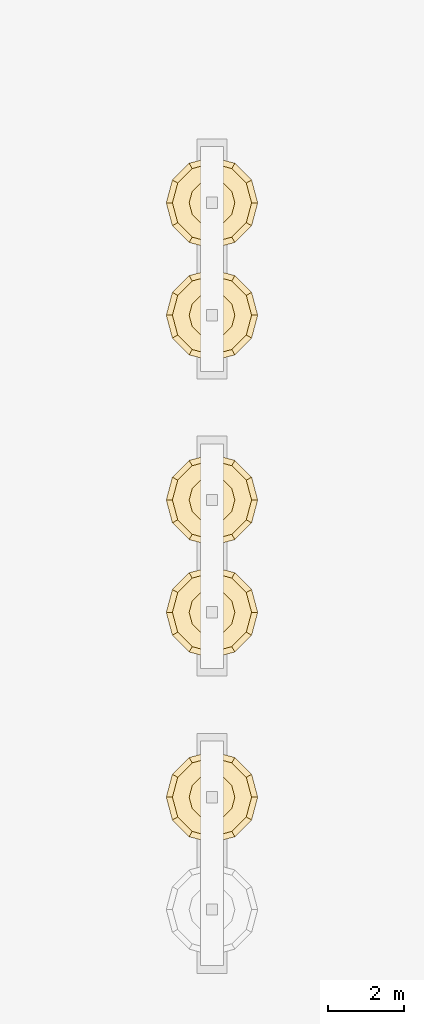
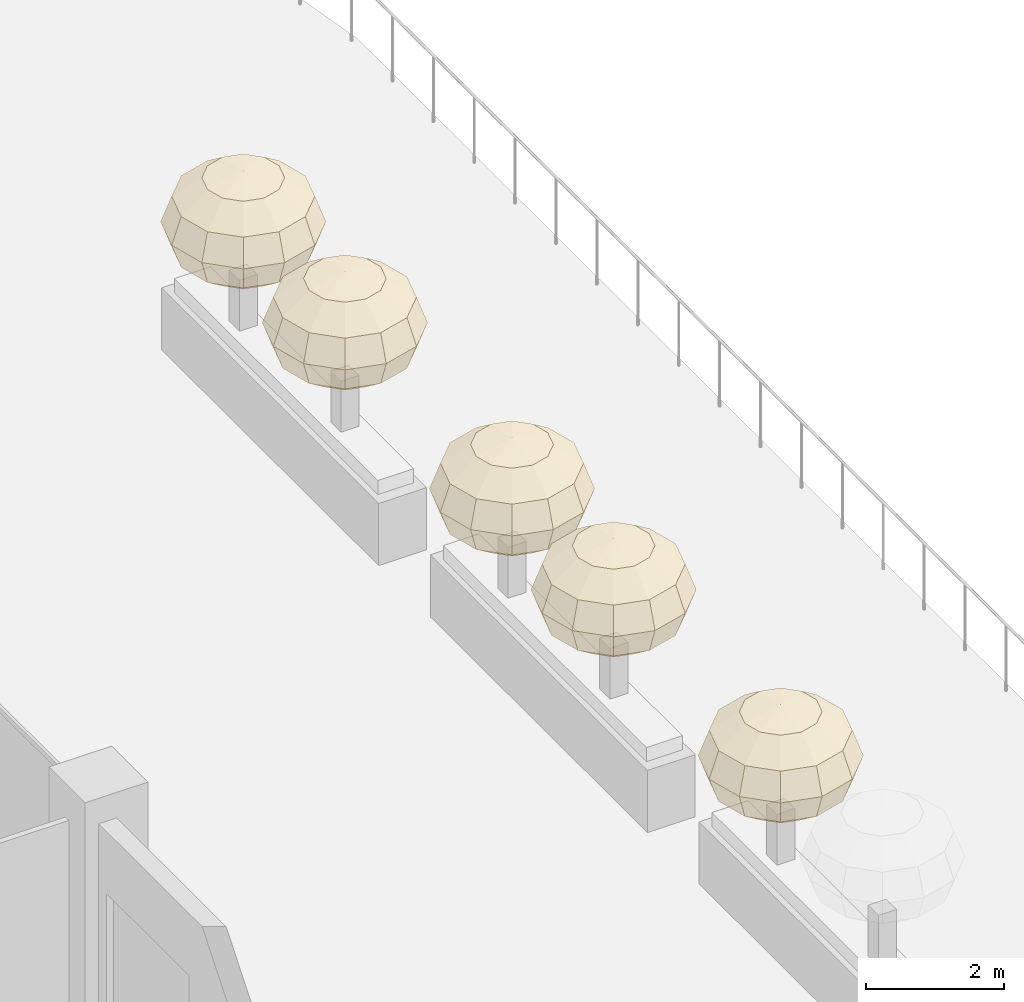
# One storey, part 31 of 31: 5 coverings.
"""IFC4 building model written with IfcOpenShell, lengths in metres."""

from ifc_helpers import new_model, si_unit, direction, frame, origin, place, context, subcontext, project, spatial, triangles, material, layer, layer_set, type_object, element, save


model = new_model("IFC4")

# Units and contexts
model_context = context("Model", 3, precision=1e-05, world=origin(), true_north=direction((0.0, 1.0)))
body_context = subcontext(model_context, "Body", "Model", "MODEL_VIEW")
ifc_project = project(units=[si_unit("LENGTHUNIT", "METRE"), si_unit("AREAUNIT", "SQUARE_METRE"), si_unit("VOLUMEUNIT", "CUBIC_METRE"), si_unit("PLANEANGLEUNIT", "RADIAN"), si_unit("MASSUNIT", "GRAM", prefix="KILO")], contexts=[model_context])

# Site, building, storey
site_placement = place(None, origin())
site = spatial("IfcSite", under=ifc_project, at=site_placement, CompositionType="ELEMENT")
building_placement = place(site_placement, origin())
building = spatial("IfcBuilding", under=site, at=building_placement, Name="Ludao Terraces", CompositionType="ELEMENT")
storey_placement = place(building_placement, frame((0.0, 0.0, 15.0)))
storey = spatial("IfcBuildingStorey", under=building, at=storey_placement, Name="L03", CompositionType="ELEMENT", Elevation=15.0)

# Coverings
ifc_material = material(Name="Planting")
ifc_layer = layer(ifc_material, 2.39990234375)
ifc_layer_set = layer_set([ifc_layer], Name="ENV Terrace tree crown 2400")
covering_type = type_object("IfcCoveringType", Name="ENV Terrace tree crown 2400", PredefinedType="USERDEFINED", material=ifc_layer_set)
covering_1_placement = place(storey_placement, frame((118.0, 61.824951171875, 3.14990234375)))
element("IfcCovering", 1, at=covering_1_placement, inside=storey, type_object=covering_type, Name="Terrace tree crown L03-T18.2", ObjectType="PLANTING", PredefinedType="USERDEFINED", context=body_context, shape_type="Tessellation", body=[
    triangles([(0.0, 0.0, 0.89990234375), (0.599853515625, 0.0, 0.779296875), (0.51953125, 0.300048828125, 0.779296875), (0.300048828125, 0.51953125, 0.779296875), (0.0, 0.599853515625, 0.779296875), (-0.300048828125, 0.51953125, 0.779296875), (-0.51953125, 0.300048828125, 0.779296875), (-0.599853515625, 0.0, 0.779296875), (-0.51953125, -0.300048828125, 0.779296875), (-0.300048828125, -0.51953125, 0.779296875), (0.0, -0.599853515625, 0.779296875), (0.300048828125, -0.51953125, 0.779296875), (0.51953125, -0.300048828125, 0.779296875), (1.039306640625, 0.0, 0.449951171875), (0.89990234375, 0.51953125, 0.449951171875), (0.51953125, 0.89990234375, 0.449951171875), (0.0, 1.039306640625, 0.449951171875), (-0.51953125, 0.89990234375, 0.449951171875), (-0.89990234375, 0.51953125, 0.449951171875), (-1.039306640625, 0.0, 0.449951171875), (-0.89990234375, -0.51953125, 0.449951171875), (-0.51953125, -0.89990234375, 0.449951171875), (0.0, -1.039306640625, 0.449951171875), (0.51953125, -0.89990234375, 0.449951171875), (0.89990234375, -0.51953125, 0.449951171875), (1.199951171875, 0.0, 0.0), (1.039306640625, 0.599853515625, 0.0), (0.60009765625, 1.039306640625, 0.0), (0.0, 1.199951171875, 0.0), (-0.599853515625, 1.039306640625, 0.0), (-1.039306640625, 0.599853515625, 0.0), (-1.199951171875, 0.0, 0.0), (-1.039306640625, -0.599853515625, 0.0), (-0.60009765625, -1.039306640625, 0.0), (0.0, -1.199951171875, 0.0), (0.60009765625, -1.039306640625, 0.0), (1.039306640625, -0.60009765625, 0.0), (1.039306640625, 0.0, -0.449951171875), (0.89990234375, 0.51953125, -0.449951171875), (0.51953125, 0.89990234375, -0.449951171875), (0.0, 1.039306640625, -0.449951171875), (-0.51953125, 0.89990234375, -0.449951171875), (-0.89990234375, 0.51953125, -0.449951171875), (-1.039306640625, 0.0, -0.449951171875), (-0.89990234375, -0.51953125, -0.449951171875), (-0.51953125, -0.89990234375, -0.449951171875), (0.0, -1.039306640625, -0.449951171875), (0.51953125, -0.89990234375, -0.449951171875), (0.89990234375, -0.51953125, -0.449951171875), (0.599853515625, 0.0, -0.779296875), (0.51953125, 0.300048828125, -0.779296875), (0.300048828125, 0.51953125, -0.779296875), (0.0, 0.599853515625, -0.779296875), (-0.300048828125, 0.51953125, -0.779296875), (-0.51953125, 0.300048828125, -0.779296875), (-0.599853515625, 0.0, -0.779296875), (-0.51953125, -0.300048828125, -0.779296875), (-0.300048828125, -0.51953125, -0.779296875), (0.0, -0.599853515625, -0.779296875), (0.300048828125, -0.51953125, -0.779296875), (0.51953125, -0.300048828125, -0.779296875), (0.0, 0.0, -0.89990234375)], [[1, 2, 3], [1, 3, 4], [1, 4, 5], [1, 5, 6], [1, 6, 7], [1, 7, 8], [1, 8, 9], [1, 9, 10], [1, 10, 11], [1, 11, 12], [1, 12, 13], [1, 13, 2], [2, 14, 15], [2, 15, 3], [3, 15, 16], [3, 16, 4], [4, 16, 17], [4, 17, 5], [5, 17, 18], [5, 18, 6], [6, 18, 19], [6, 19, 7], [7, 19, 20], [7, 20, 8], [8, 20, 21], [8, 21, 9], [9, 21, 22], [9, 22, 10], [10, 22, 23], [10, 23, 11], [11, 23, 24], [11, 24, 12], [12, 24, 25], [12, 25, 13], [13, 25, 14], [13, 14, 2], [14, 26, 27], [14, 27, 15], [15, 27, 28], [15, 28, 16], [16, 28, 29], [16, 29, 17], [17, 29, 30], [17, 30, 18], [18, 30, 31], [18, 31, 19], [19, 31, 32], [19, 32, 20], [20, 32, 33], [20, 33, 21], [21, 33, 34], [21, 34, 22], [22, 34, 35], [22, 35, 23], [23, 35, 36], [23, 36, 24], [24, 36, 37], [24, 37, 25], [25, 37, 26], [25, 26, 14], [26, 38, 39], [26, 39, 27], [27, 39, 40], [27, 40, 28], [28, 40, 41], [28, 41, 29], [29, 41, 42], [29, 42, 30], [30, 42, 43], [30, 43, 31], [31, 43, 44], [31, 44, 32], [32, 44, 45], [32, 45, 33], [33, 45, 46], [33, 46, 34], [34, 46, 47], [34, 47, 35], [35, 47, 48], [35, 48, 36], [36, 48, 49], [36, 49, 37], [37, 49, 38], [37, 38, 26], [38, 50, 51], [38, 51, 39], [39, 51, 52], [39, 52, 40], [40, 52, 53], [40, 53, 41], [41, 53, 54], [41, 54, 42], [42, 54, 55], [42, 55, 43], [43, 55, 56], [43, 56, 44], [44, 56, 57], [44, 57, 45], [45, 57, 58], [45, 58, 46], [46, 58, 59], [46, 59, 47], [47, 59, 60], [47, 60, 48], [48, 60, 61], [48, 61, 49], [49, 61, 50], [49, 50, 38], [62, 51, 50], [62, 52, 51], [62, 53, 52], [62, 54, 53], [62, 55, 54], [62, 56, 55], [62, 57, 56], [62, 58, 57], [62, 59, 58], [62, 60, 59], [62, 61, 60], [62, 50, 61]], closed=True),
])
covering_2_placement = place(storey_placement, frame((118.0, 66.675048828125, 3.14990234375)))
element("IfcCovering", 2, at=covering_2_placement, inside=storey, type_object=covering_type, Name="Terrace tree crown L03-T19.1", ObjectType="PLANTING", PredefinedType="USERDEFINED", context=body_context, shape_type="Tessellation", body=[
    triangles([(0.0, 0.0, 0.89990234375), (0.599853515625, 0.0, 0.779296875), (0.51953125, 0.300048828125, 0.779296875), (0.300048828125, 0.51953125, 0.779296875), (0.0, 0.599853515625, 0.779296875), (-0.300048828125, 0.51953125, 0.779296875), (-0.51953125, 0.300048828125, 0.779296875), (-0.599853515625, 0.0, 0.779296875), (-0.51953125, -0.300048828125, 0.779296875), (-0.300048828125, -0.51953125, 0.779296875), (0.0, -0.599853515625, 0.779296875), (0.300048828125, -0.51953125, 0.779296875), (0.51953125, -0.300048828125, 0.779296875), (1.039306640625, 0.0, 0.449951171875), (0.89990234375, 0.51953125, 0.449951171875), (0.51953125, 0.89990234375, 0.449951171875), (0.0, 1.039306640625, 0.449951171875), (-0.51953125, 0.89990234375, 0.449951171875), (-0.89990234375, 0.51953125, 0.449951171875), (-1.039306640625, 0.0, 0.449951171875), (-0.89990234375, -0.51953125, 0.449951171875), (-0.51953125, -0.89990234375, 0.449951171875), (0.0, -1.039306640625, 0.449951171875), (0.51953125, -0.89990234375, 0.449951171875), (0.89990234375, -0.51953125, 0.449951171875), (1.199951171875, 0.0, 0.0), (1.039306640625, 0.599853515625, 0.0), (0.60009765625, 1.039306640625, 0.0), (0.0, 1.199951171875, 0.0), (-0.599853515625, 1.039306640625, 0.0), (-1.039306640625, 0.599853515625, 0.0), (-1.199951171875, 0.0, 0.0), (-1.039306640625, -0.599853515625, 0.0), (-0.60009765625, -1.039306640625, 0.0), (0.0, -1.199951171875, 0.0), (0.60009765625, -1.039306640625, 0.0), (1.039306640625, -0.60009765625, 0.0), (1.039306640625, 0.0, -0.449951171875), (0.89990234375, 0.51953125, -0.449951171875), (0.51953125, 0.89990234375, -0.449951171875), (0.0, 1.039306640625, -0.449951171875), (-0.51953125, 0.89990234375, -0.449951171875), (-0.89990234375, 0.51953125, -0.449951171875), (-1.039306640625, 0.0, -0.449951171875), (-0.89990234375, -0.51953125, -0.449951171875), (-0.51953125, -0.89990234375, -0.449951171875), (0.0, -1.039306640625, -0.449951171875), (0.51953125, -0.89990234375, -0.449951171875), (0.89990234375, -0.51953125, -0.449951171875), (0.599853515625, 0.0, -0.779296875), (0.51953125, 0.300048828125, -0.779296875), (0.300048828125, 0.51953125, -0.779296875), (0.0, 0.599853515625, -0.779296875), (-0.300048828125, 0.51953125, -0.779296875), (-0.51953125, 0.300048828125, -0.779296875), (-0.599853515625, 0.0, -0.779296875), (-0.51953125, -0.300048828125, -0.779296875), (-0.300048828125, -0.51953125, -0.779296875), (0.0, -0.599853515625, -0.779296875), (0.300048828125, -0.51953125, -0.779296875), (0.51953125, -0.300048828125, -0.779296875), (0.0, 0.0, -0.89990234375)], [[1, 2, 3], [1, 3, 4], [1, 4, 5], [1, 5, 6], [1, 6, 7], [1, 7, 8], [1, 8, 9], [1, 9, 10], [1, 10, 11], [1, 11, 12], [1, 12, 13], [1, 13, 2], [2, 14, 15], [2, 15, 3], [3, 15, 16], [3, 16, 4], [4, 16, 17], [4, 17, 5], [5, 17, 18], [5, 18, 6], [6, 18, 19], [6, 19, 7], [7, 19, 20], [7, 20, 8], [8, 20, 21], [8, 21, 9], [9, 21, 22], [9, 22, 10], [10, 22, 23], [10, 23, 11], [11, 23, 24], [11, 24, 12], [12, 24, 25], [12, 25, 13], [13, 25, 14], [13, 14, 2], [14, 26, 27], [14, 27, 15], [15, 27, 28], [15, 28, 16], [16, 28, 29], [16, 29, 17], [17, 29, 30], [17, 30, 18], [18, 30, 31], [18, 31, 19], [19, 31, 32], [19, 32, 20], [20, 32, 33], [20, 33, 21], [21, 33, 34], [21, 34, 22], [22, 34, 35], [22, 35, 23], [23, 35, 36], [23, 36, 24], [24, 36, 37], [24, 37, 25], [25, 37, 26], [25, 26, 14], [26, 38, 39], [26, 39, 27], [27, 39, 40], [27, 40, 28], [28, 40, 41], [28, 41, 29], [29, 41, 42], [29, 42, 30], [30, 42, 43], [30, 43, 31], [31, 43, 44], [31, 44, 32], [32, 44, 45], [32, 45, 33], [33, 45, 46], [33, 46, 34], [34, 46, 47], [34, 47, 35], [35, 47, 48], [35, 48, 36], [36, 48, 49], [36, 49, 37], [37, 49, 38], [37, 38, 26], [38, 50, 51], [38, 51, 39], [39, 51, 52], [39, 52, 40], [40, 52, 53], [40, 53, 41], [41, 53, 54], [41, 54, 42], [42, 54, 55], [42, 55, 43], [43, 55, 56], [43, 56, 44], [44, 56, 57], [44, 57, 45], [45, 57, 58], [45, 58, 46], [46, 58, 59], [46, 59, 47], [47, 59, 60], [47, 60, 48], [48, 60, 61], [48, 61, 49], [49, 61, 50], [49, 50, 38], [62, 51, 50], [62, 52, 51], [62, 53, 52], [62, 54, 53], [62, 55, 54], [62, 56, 55], [62, 57, 56], [62, 58, 57], [62, 59, 58], [62, 60, 59], [62, 61, 60], [62, 50, 61]], closed=True),
])
covering_3_placement = place(storey_placement, frame((118.0, 69.625, 3.14990234375)))
element("IfcCovering", 3, at=covering_3_placement, inside=storey, type_object=covering_type, Name="Terrace tree crown L03-T19.2", ObjectType="PLANTING", PredefinedType="USERDEFINED", context=body_context, shape_type="Tessellation", body=[
    triangles([(0.0, 0.0, 0.89990234375), (0.599853515625, 0.0, 0.779296875), (0.51953125, 0.300048828125, 0.779296875), (0.300048828125, 0.51953125, 0.779296875), (0.0, 0.599853515625, 0.779296875), (-0.300048828125, 0.51953125, 0.779296875), (-0.51953125, 0.300048828125, 0.779296875), (-0.599853515625, 0.0, 0.779296875), (-0.51953125, -0.300048828125, 0.779296875), (-0.300048828125, -0.51953125, 0.779296875), (0.0, -0.599853515625, 0.779296875), (0.300048828125, -0.51953125, 0.779296875), (0.51953125, -0.300048828125, 0.779296875), (1.039306640625, 0.0, 0.449951171875), (0.89990234375, 0.51953125, 0.449951171875), (0.51953125, 0.89990234375, 0.449951171875), (0.0, 1.039306640625, 0.449951171875), (-0.51953125, 0.89990234375, 0.449951171875), (-0.89990234375, 0.51953125, 0.449951171875), (-1.039306640625, 0.0, 0.449951171875), (-0.89990234375, -0.51953125, 0.449951171875), (-0.51953125, -0.89990234375, 0.449951171875), (0.0, -1.039306640625, 0.449951171875), (0.51953125, -0.89990234375, 0.449951171875), (0.89990234375, -0.51953125, 0.449951171875), (1.199951171875, 0.0, 0.0), (1.039306640625, 0.599853515625, 0.0), (0.60009765625, 1.039306640625, 0.0), (0.0, 1.199951171875, 0.0), (-0.599853515625, 1.039306640625, 0.0), (-1.039306640625, 0.599853515625, 0.0), (-1.199951171875, 0.0, 0.0), (-1.039306640625, -0.599853515625, 0.0), (-0.60009765625, -1.039306640625, 0.0), (0.0, -1.199951171875, 0.0), (0.60009765625, -1.039306640625, 0.0), (1.039306640625, -0.60009765625, 0.0), (1.039306640625, 0.0, -0.449951171875), (0.89990234375, 0.51953125, -0.449951171875), (0.51953125, 0.89990234375, -0.449951171875), (0.0, 1.039306640625, -0.449951171875), (-0.51953125, 0.89990234375, -0.449951171875), (-0.89990234375, 0.51953125, -0.449951171875), (-1.039306640625, 0.0, -0.449951171875), (-0.89990234375, -0.51953125, -0.449951171875), (-0.51953125, -0.89990234375, -0.449951171875), (0.0, -1.039306640625, -0.449951171875), (0.51953125, -0.89990234375, -0.449951171875), (0.89990234375, -0.51953125, -0.449951171875), (0.599853515625, 0.0, -0.779296875), (0.51953125, 0.300048828125, -0.779296875), (0.300048828125, 0.51953125, -0.779296875), (0.0, 0.599853515625, -0.779296875), (-0.300048828125, 0.51953125, -0.779296875), (-0.51953125, 0.300048828125, -0.779296875), (-0.599853515625, 0.0, -0.779296875), (-0.51953125, -0.300048828125, -0.779296875), (-0.300048828125, -0.51953125, -0.779296875), (0.0, -0.599853515625, -0.779296875), (0.300048828125, -0.51953125, -0.779296875), (0.51953125, -0.300048828125, -0.779296875), (0.0, 0.0, -0.89990234375)], [[1, 2, 3], [1, 3, 4], [1, 4, 5], [1, 5, 6], [1, 6, 7], [1, 7, 8], [1, 8, 9], [1, 9, 10], [1, 10, 11], [1, 11, 12], [1, 12, 13], [1, 13, 2], [2, 14, 15], [2, 15, 3], [3, 15, 16], [3, 16, 4], [4, 16, 17], [4, 17, 5], [5, 17, 18], [5, 18, 6], [6, 18, 19], [6, 19, 7], [7, 19, 20], [7, 20, 8], [8, 20, 21], [8, 21, 9], [9, 21, 22], [9, 22, 10], [10, 22, 23], [10, 23, 11], [11, 23, 24], [11, 24, 12], [12, 24, 25], [12, 25, 13], [13, 25, 14], [13, 14, 2], [14, 26, 27], [14, 27, 15], [15, 27, 28], [15, 28, 16], [16, 28, 29], [16, 29, 17], [17, 29, 30], [17, 30, 18], [18, 30, 31], [18, 31, 19], [19, 31, 32], [19, 32, 20], [20, 32, 33], [20, 33, 21], [21, 33, 34], [21, 34, 22], [22, 34, 35], [22, 35, 23], [23, 35, 36], [23, 36, 24], [24, 36, 37], [24, 37, 25], [25, 37, 26], [25, 26, 14], [26, 38, 39], [26, 39, 27], [27, 39, 40], [27, 40, 28], [28, 40, 41], [28, 41, 29], [29, 41, 42], [29, 42, 30], [30, 42, 43], [30, 43, 31], [31, 43, 44], [31, 44, 32], [32, 44, 45], [32, 45, 33], [33, 45, 46], [33, 46, 34], [34, 46, 47], [34, 47, 35], [35, 47, 48], [35, 48, 36], [36, 48, 49], [36, 49, 37], [37, 49, 38], [37, 38, 26], [38, 50, 51], [38, 51, 39], [39, 51, 52], [39, 52, 40], [40, 52, 53], [40, 53, 41], [41, 53, 54], [41, 54, 42], [42, 54, 55], [42, 55, 43], [43, 55, 56], [43, 56, 44], [44, 56, 57], [44, 57, 45], [45, 57, 58], [45, 58, 46], [46, 58, 59], [46, 59, 47], [47, 59, 60], [47, 60, 48], [48, 60, 61], [48, 61, 49], [49, 61, 50], [49, 50, 38], [62, 51, 50], [62, 52, 51], [62, 53, 52], [62, 54, 53], [62, 55, 54], [62, 56, 55], [62, 57, 56], [62, 58, 57], [62, 59, 58], [62, 60, 59], [62, 61, 60], [62, 50, 61]], closed=True),
])
covering_4_placement = place(storey_placement, frame((118.0, 74.47509765625, 3.14990234375)))
element("IfcCovering", 4, at=covering_4_placement, inside=storey, type_object=covering_type, Name="Terrace tree crown L03-T20.1", ObjectType="PLANTING", PredefinedType="USERDEFINED", context=body_context, shape_type="Tessellation", body=[
    triangles([(0.0, 0.0, 0.89990234375), (0.599853515625, 0.0, 0.779296875), (0.51953125, 0.300048828125, 0.779296875), (0.300048828125, 0.51953125, 0.779296875), (0.0, 0.599853515625, 0.779296875), (-0.300048828125, 0.51953125, 0.779296875), (-0.51953125, 0.300048828125, 0.779296875), (-0.599853515625, 0.0, 0.779296875), (-0.51953125, -0.300048828125, 0.779296875), (-0.300048828125, -0.51953125, 0.779296875), (0.0, -0.599853515625, 0.779296875), (0.300048828125, -0.51953125, 0.779296875), (0.51953125, -0.300048828125, 0.779296875), (1.039306640625, 0.0, 0.449951171875), (0.89990234375, 0.51953125, 0.449951171875), (0.51953125, 0.89990234375, 0.449951171875), (0.0, 1.039306640625, 0.449951171875), (-0.51953125, 0.89990234375, 0.449951171875), (-0.89990234375, 0.51953125, 0.449951171875), (-1.039306640625, 0.0, 0.449951171875), (-0.89990234375, -0.51953125, 0.449951171875), (-0.51953125, -0.89990234375, 0.449951171875), (0.0, -1.039306640625, 0.449951171875), (0.51953125, -0.89990234375, 0.449951171875), (0.89990234375, -0.51953125, 0.449951171875), (1.199951171875, 0.0, 0.0), (1.039306640625, 0.599853515625, 0.0), (0.60009765625, 1.039306640625, 0.0), (0.0, 1.199951171875, 0.0), (-0.599853515625, 1.039306640625, 0.0), (-1.039306640625, 0.599853515625, 0.0), (-1.199951171875, 0.0, 0.0), (-1.039306640625, -0.599853515625, 0.0), (-0.60009765625, -1.039306640625, 0.0), (0.0, -1.199951171875, 0.0), (0.60009765625, -1.039306640625, 0.0), (1.039306640625, -0.60009765625, 0.0), (1.039306640625, 0.0, -0.449951171875), (0.89990234375, 0.51953125, -0.449951171875), (0.51953125, 0.89990234375, -0.449951171875), (0.0, 1.039306640625, -0.449951171875), (-0.51953125, 0.89990234375, -0.449951171875), (-0.89990234375, 0.51953125, -0.449951171875), (-1.039306640625, 0.0, -0.449951171875), (-0.89990234375, -0.51953125, -0.449951171875), (-0.51953125, -0.89990234375, -0.449951171875), (0.0, -1.039306640625, -0.449951171875), (0.51953125, -0.89990234375, -0.449951171875), (0.89990234375, -0.51953125, -0.449951171875), (0.599853515625, 0.0, -0.779296875), (0.51953125, 0.300048828125, -0.779296875), (0.300048828125, 0.51953125, -0.779296875), (0.0, 0.599853515625, -0.779296875), (-0.300048828125, 0.51953125, -0.779296875), (-0.51953125, 0.300048828125, -0.779296875), (-0.599853515625, 0.0, -0.779296875), (-0.51953125, -0.300048828125, -0.779296875), (-0.300048828125, -0.51953125, -0.779296875), (0.0, -0.599853515625, -0.779296875), (0.300048828125, -0.51953125, -0.779296875), (0.51953125, -0.300048828125, -0.779296875), (0.0, 0.0, -0.89990234375)], [[1, 2, 3], [1, 3, 4], [1, 4, 5], [1, 5, 6], [1, 6, 7], [1, 7, 8], [1, 8, 9], [1, 9, 10], [1, 10, 11], [1, 11, 12], [1, 12, 13], [1, 13, 2], [2, 14, 15], [2, 15, 3], [3, 15, 16], [3, 16, 4], [4, 16, 17], [4, 17, 5], [5, 17, 18], [5, 18, 6], [6, 18, 19], [6, 19, 7], [7, 19, 20], [7, 20, 8], [8, 20, 21], [8, 21, 9], [9, 21, 22], [9, 22, 10], [10, 22, 23], [10, 23, 11], [11, 23, 24], [11, 24, 12], [12, 24, 25], [12, 25, 13], [13, 25, 14], [13, 14, 2], [14, 26, 27], [14, 27, 15], [15, 27, 28], [15, 28, 16], [16, 28, 29], [16, 29, 17], [17, 29, 30], [17, 30, 18], [18, 30, 31], [18, 31, 19], [19, 31, 32], [19, 32, 20], [20, 32, 33], [20, 33, 21], [21, 33, 34], [21, 34, 22], [22, 34, 35], [22, 35, 23], [23, 35, 36], [23, 36, 24], [24, 36, 37], [24, 37, 25], [25, 37, 26], [25, 26, 14], [26, 38, 39], [26, 39, 27], [27, 39, 40], [27, 40, 28], [28, 40, 41], [28, 41, 29], [29, 41, 42], [29, 42, 30], [30, 42, 43], [30, 43, 31], [31, 43, 44], [31, 44, 32], [32, 44, 45], [32, 45, 33], [33, 45, 46], [33, 46, 34], [34, 46, 47], [34, 47, 35], [35, 47, 48], [35, 48, 36], [36, 48, 49], [36, 49, 37], [37, 49, 38], [37, 38, 26], [38, 50, 51], [38, 51, 39], [39, 51, 52], [39, 52, 40], [40, 52, 53], [40, 53, 41], [41, 53, 54], [41, 54, 42], [42, 54, 55], [42, 55, 43], [43, 55, 56], [43, 56, 44], [44, 56, 57], [44, 57, 45], [45, 57, 58], [45, 58, 46], [46, 58, 59], [46, 59, 47], [47, 59, 60], [47, 60, 48], [48, 60, 61], [48, 61, 49], [49, 61, 50], [49, 50, 38], [62, 51, 50], [62, 52, 51], [62, 53, 52], [62, 54, 53], [62, 55, 54], [62, 56, 55], [62, 57, 56], [62, 58, 57], [62, 59, 58], [62, 60, 59], [62, 61, 60], [62, 50, 61]], closed=True),
])
covering_5_placement = place(storey_placement, frame((118.0, 77.425048828125, 3.14990234375)))
element("IfcCovering", 5, at=covering_5_placement, inside=storey, type_object=covering_type, Name="Terrace tree crown L03-T20.2", ObjectType="PLANTING", PredefinedType="USERDEFINED", context=body_context, shape_type="Tessellation", body=[
    triangles([(0.0, 0.0, 0.89990234375), (0.599853515625, 0.0, 0.779296875), (0.51953125, 0.300048828125, 0.779296875), (0.300048828125, 0.51953125, 0.779296875), (0.0, 0.599853515625, 0.779296875), (-0.300048828125, 0.51953125, 0.779296875), (-0.51953125, 0.300048828125, 0.779296875), (-0.599853515625, 0.0, 0.779296875), (-0.51953125, -0.300048828125, 0.779296875), (-0.300048828125, -0.51953125, 0.779296875), (0.0, -0.599853515625, 0.779296875), (0.300048828125, -0.51953125, 0.779296875), (0.51953125, -0.300048828125, 0.779296875), (1.039306640625, 0.0, 0.449951171875), (0.89990234375, 0.51953125, 0.449951171875), (0.51953125, 0.89990234375, 0.449951171875), (0.0, 1.039306640625, 0.449951171875), (-0.51953125, 0.89990234375, 0.449951171875), (-0.89990234375, 0.51953125, 0.449951171875), (-1.039306640625, 0.0, 0.449951171875), (-0.89990234375, -0.51953125, 0.449951171875), (-0.51953125, -0.89990234375, 0.449951171875), (0.0, -1.039306640625, 0.449951171875), (0.51953125, -0.89990234375, 0.449951171875), (0.89990234375, -0.51953125, 0.449951171875), (1.199951171875, 0.0, 0.0), (1.039306640625, 0.599853515625, 0.0), (0.60009765625, 1.039306640625, 0.0), (0.0, 1.199951171875, 0.0), (-0.599853515625, 1.039306640625, 0.0), (-1.039306640625, 0.599853515625, 0.0), (-1.199951171875, 0.0, 0.0), (-1.039306640625, -0.599853515625, 0.0), (-0.60009765625, -1.039306640625, 0.0), (0.0, -1.199951171875, 0.0), (0.60009765625, -1.039306640625, 0.0), (1.039306640625, -0.60009765625, 0.0), (1.039306640625, 0.0, -0.449951171875), (0.89990234375, 0.51953125, -0.449951171875), (0.51953125, 0.89990234375, -0.449951171875), (0.0, 1.039306640625, -0.449951171875), (-0.51953125, 0.89990234375, -0.449951171875), (-0.89990234375, 0.51953125, -0.449951171875), (-1.039306640625, 0.0, -0.449951171875), (-0.89990234375, -0.51953125, -0.449951171875), (-0.51953125, -0.89990234375, -0.449951171875), (0.0, -1.039306640625, -0.449951171875), (0.51953125, -0.89990234375, -0.449951171875), (0.89990234375, -0.51953125, -0.449951171875), (0.599853515625, 0.0, -0.779296875), (0.51953125, 0.300048828125, -0.779296875), (0.300048828125, 0.51953125, -0.779296875), (0.0, 0.599853515625, -0.779296875), (-0.300048828125, 0.51953125, -0.779296875), (-0.51953125, 0.300048828125, -0.779296875), (-0.599853515625, 0.0, -0.779296875), (-0.51953125, -0.300048828125, -0.779296875), (-0.300048828125, -0.51953125, -0.779296875), (0.0, -0.599853515625, -0.779296875), (0.300048828125, -0.51953125, -0.779296875), (0.51953125, -0.300048828125, -0.779296875), (0.0, 0.0, -0.89990234375)], [[1, 2, 3], [1, 3, 4], [1, 4, 5], [1, 5, 6], [1, 6, 7], [1, 7, 8], [1, 8, 9], [1, 9, 10], [1, 10, 11], [1, 11, 12], [1, 12, 13], [1, 13, 2], [2, 14, 15], [2, 15, 3], [3, 15, 16], [3, 16, 4], [4, 16, 17], [4, 17, 5], [5, 17, 18], [5, 18, 6], [6, 18, 19], [6, 19, 7], [7, 19, 20], [7, 20, 8], [8, 20, 21], [8, 21, 9], [9, 21, 22], [9, 22, 10], [10, 22, 23], [10, 23, 11], [11, 23, 24], [11, 24, 12], [12, 24, 25], [12, 25, 13], [13, 25, 14], [13, 14, 2], [14, 26, 27], [14, 27, 15], [15, 27, 28], [15, 28, 16], [16, 28, 29], [16, 29, 17], [17, 29, 30], [17, 30, 18], [18, 30, 31], [18, 31, 19], [19, 31, 32], [19, 32, 20], [20, 32, 33], [20, 33, 21], [21, 33, 34], [21, 34, 22], [22, 34, 35], [22, 35, 23], [23, 35, 36], [23, 36, 24], [24, 36, 37], [24, 37, 25], [25, 37, 26], [25, 26, 14], [26, 38, 39], [26, 39, 27], [27, 39, 40], [27, 40, 28], [28, 40, 41], [28, 41, 29], [29, 41, 42], [29, 42, 30], [30, 42, 43], [30, 43, 31], [31, 43, 44], [31, 44, 32], [32, 44, 45], [32, 45, 33], [33, 45, 46], [33, 46, 34], [34, 46, 47], [34, 47, 35], [35, 47, 48], [35, 48, 36], [36, 48, 49], [36, 49, 37], [37, 49, 38], [37, 38, 26], [38, 50, 51], [38, 51, 39], [39, 51, 52], [39, 52, 40], [40, 52, 53], [40, 53, 41], [41, 53, 54], [41, 54, 42], [42, 54, 55], [42, 55, 43], [43, 55, 56], [43, 56, 44], [44, 56, 57], [44, 57, 45], [45, 57, 58], [45, 58, 46], [46, 58, 59], [46, 59, 47], [47, 59, 60], [47, 60, 48], [48, 60, 61], [48, 61, 49], [49, 61, 50], [49, 50, 38], [62, 51, 50], [62, 52, 51], [62, 53, 52], [62, 54, 53], [62, 55, 54], [62, 56, 55], [62, 57, 56], [62, 58, 57], [62, 59, 58], [62, 60, 59], [62, 61, 60], [62, 50, 61]], closed=True),
])

save(model, "model.ifc")
